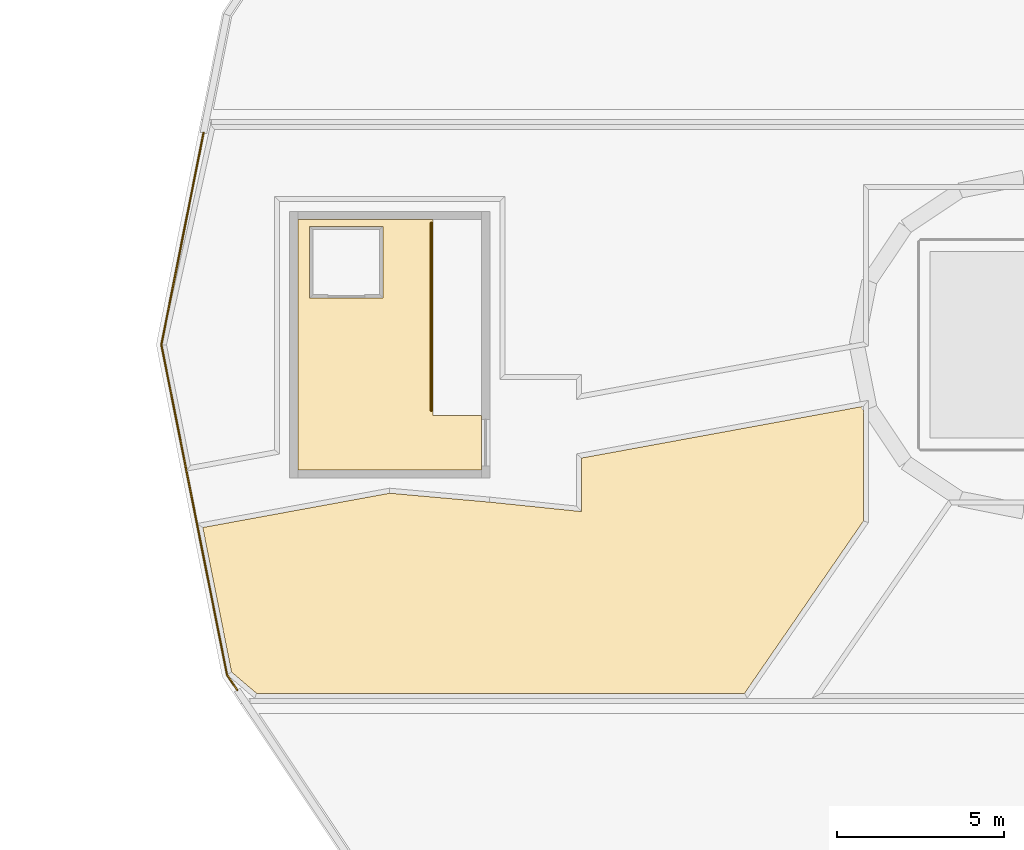
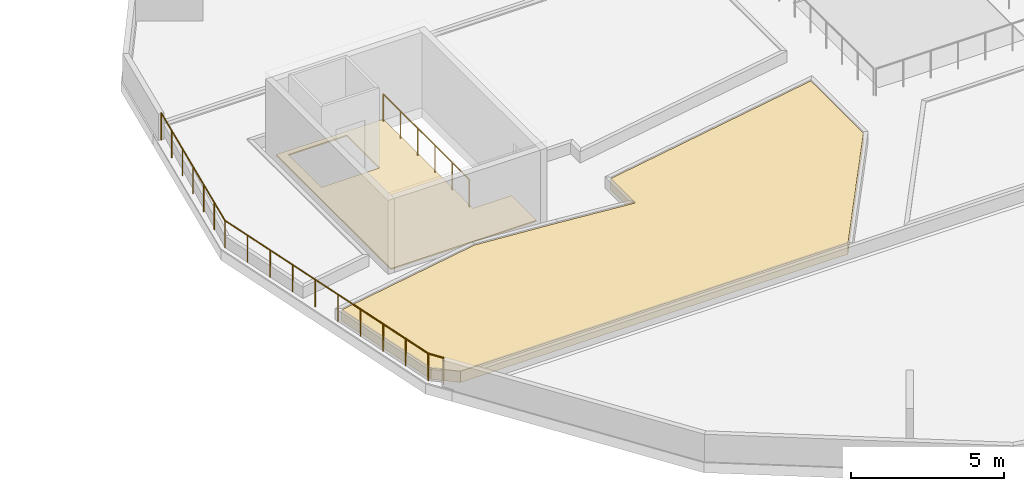
# One storey, part 35 of 40: 4 railings, 2 coverings.
"""IFC4 building model written with IfcOpenShell, lengths in metres."""

from ifc_helpers import new_model, si_unit, direction, frame, origin, origin_2d, place, context, subcontext, project, spatial, polyline, circle, outline, extrude, material, layer, layer_set, type_object, element, save


model = new_model("IFC4")

# Units and contexts
model_context = context("Model", 3, precision=1e-05, world=origin(), true_north=direction((0.0, 1.0)))
body_context = subcontext(model_context, "Body", "Model", "MODEL_VIEW")
ifc_project = project(units=[si_unit("LENGTHUNIT", "METRE"), si_unit("AREAUNIT", "SQUARE_METRE"), si_unit("VOLUMEUNIT", "CUBIC_METRE"), si_unit("PLANEANGLEUNIT", "RADIAN"), si_unit("MASSUNIT", "GRAM", prefix="KILO")], contexts=[model_context])

# Site, building, storey
site_placement = place(None, origin())
site = spatial("IfcSite", under=ifc_project, at=site_placement, CompositionType="ELEMENT")
building_placement = place(site_placement, origin())
building = spatial("IfcBuilding", under=site, at=building_placement, Name="Ceibo Conservatory and Research Tower", CompositionType="ELEMENT")
storey_placement = place(building_placement, frame((0.0, 0.0, 6.0)))
storey = spatial("IfcBuildingStorey", under=building, at=storey_placement, Name="L01", CompositionType="ELEMENT", Elevation=6.0)

# Railing
ifc_material_1 = material(Name="Stainless steel AISI 316", Category="steel")
railing_type_1 = type_object("IfcRailingType", Name="Conservatory guard 1100", PredefinedType="GUARDRAIL", material=ifc_material_1)
railing_1_placement = place(storey_placement, frame((150.239990234375, 34.030029296875, 0.0)))
element("IfcRailing", 1, at=railing_1_placement, inside=storey, type_object=railing_type_1, Name="Guard roof deck, west edge of the stair opening", PredefinedType="GUARDRAIL", context=body_context, shape_type="SweptSolid", body=[
    extrude(circle(Radius=0.02392578125, at=origin_2d()), frame((0.0, 0.0, 1.076171875), z_axis=(0.0, 1.0, 0.0), x_axis=(-1.0, 0.0, 0.0)), (0.0, 0.0, 1.0), 5.619873046875),
    extrude(circle(Radius=0.02099609375, at=origin_2d()), origin(), (0.0, 0.0, 1.0), 1.052001953125),
    extrude(circle(Radius=0.02099609375, at=origin_2d()), frame((0.0, 1.1240234375, 0.0)), (0.0, 0.0, 1.0), 1.052001953125),
    extrude(circle(Radius=0.02099609375, at=origin_2d()), frame((0.0, 2.248046875, 0.0)), (0.0, 0.0, 1.0), 1.052001953125),
    extrude(circle(Radius=0.02099609375, at=origin_2d()), frame((0.0, 3.371826171875, 0.0)), (0.0, 0.0, 1.0), 1.052001953125),
    extrude(circle(Radius=0.02099609375, at=origin_2d()), frame((0.0, 4.495849609375, 0.0)), (0.0, 0.0, 1.0), 1.052001953125),
    extrude(circle(Radius=0.02099609375, at=origin_2d()), frame((0.0, 5.619873046875, 0.0)), (0.0, 0.0, 1.0), 1.052001953125),
])

# Covering
ifc_material_2 = material(Name="Porcelain tile")
ifc_layer_1 = layer(ifc_material_2, 0.050048828125)
ifc_layer_set_1 = layer_set([ifc_layer_1], Name="Porcelain tile")
covering_type_1 = type_object("IfcCoveringType", Name="Head house floor finish 50", PredefinedType="FLOORING", material=ifc_layer_set_1)
covering_1_placement = place(storey_placement, frame((0.0, 0.0, -0.050048828125)))
element("IfcCovering", 2, at=covering_1_placement, inside=storey, type_object=covering_type_1, Name="Head house floor finish VC-HF01", PredefinedType="FLOORING", context=body_context, shape_type="SweptSolid", body=[
    extrude(outline(polyline([(146.25, 32.25), (151.75, 32.25), (151.75, 33.882080078125), (150.300048828125, 33.882080078125), (150.300048828125, 39.75), (146.25, 39.75), (146.25, 32.25)]), holes=[polyline([(148.800048828125, 37.39990234375), (146.60009765625, 37.39990234375), (146.60009765625, 39.550048828125), (148.800048828125, 39.550048828125), (148.800048828125, 37.39990234375)])]), origin(), (0.0, 0.0, 1.0), 0.050048828125),
])

# Railings
railing_type_2 = type_object("IfcRailingType", Name="Pavilion terrace guard 1100", PredefinedType="GUARDRAIL", material=ifc_material_1)
railing_2_placement = place(storey_placement, frame((143.416015625, 42.35009765625, 0.0)))
element("IfcRailing", 3, at=railing_2_placement, inside=storey, type_object=railing_type_2, Name="Pavilion guard 2", PredefinedType="GUARDRAIL", context=body_context, shape_type="SweptSolid", body=[
    extrude(circle(Radius=0.02392578125, at=origin_2d()), frame((0.0, 0.0, 1.076171875), z_axis=(-0.1951008166, -0.980783192842, 0.0), x_axis=(0.980783192842, -0.1951008166, 0.0)), (0.0, 0.0, 1.0), 6.474609375),
    extrude(circle(Radius=0.02099609375, at=origin_2d()), origin(), (0.0, 0.0, 1.0), 1.052001953125),
    extrude(circle(Radius=0.02099609375, at=origin_2d()), frame((-0.21044921875, -1.058349609375, 0.0)), (0.0, 0.0, 1.0), 1.052001953125),
    extrude(circle(Radius=0.02099609375, at=origin_2d()), frame((-0.421142578125, -2.11669921875, 0.0)), (0.0, 0.0, 1.0), 1.052001953125),
    extrude(circle(Radius=0.02099609375, at=origin_2d()), frame((-0.631591796875, -3.175048828125, 0.0)), (0.0, 0.0, 1.0), 1.052001953125),
    extrude(circle(Radius=0.02099609375, at=origin_2d()), frame((-0.842041015625, -4.2333984375, 0.0)), (0.0, 0.0, 1.0), 1.052001953125),
    extrude(circle(Radius=0.02099609375, at=origin_2d()), frame((-1.052734375, -5.291748046875, 0.0)), (0.0, 0.0, 1.0), 1.052001953125),
    extrude(circle(Radius=0.02099609375, at=origin_2d()), frame((-1.26318359375, -6.35009765625, 0.0)), (0.0, 0.0, 1.0), 1.052001953125),
])
railing_3_placement = place(storey_placement, frame((142.15283203125, 36.0, 0.0)))
element("IfcRailing", 4, at=railing_3_placement, inside=storey, type_object=railing_type_2, Name="Pavilion guard 3", PredefinedType="GUARDRAIL", context=body_context, shape_type="SweptSolid", body=[
    extrude(circle(Radius=0.02392578125, at=origin_2d()), frame((0.0, 0.0, 1.076171875), z_axis=(0.195091845788, -0.980784977305, 0.0), x_axis=(0.980784977305, 0.195091845788, 0.0)), (0.0, 0.0, 1.0), 10.085205078125),
    extrude(circle(Radius=0.02099609375, at=origin_2d()), origin(), (0.0, 0.0, 1.0), 1.052001953125),
    extrude(circle(Radius=0.02099609375, at=origin_2d()), frame((0.218505859375, -1.09912109375, 0.0)), (0.0, 0.0, 1.0), 1.052001953125),
    extrude(circle(Radius=0.02099609375, at=origin_2d()), frame((0.437255859375, -2.197998046875, 0.0)), (0.0, 0.0, 1.0), 1.052001953125),
    extrude(circle(Radius=0.02099609375, at=origin_2d()), frame((0.65576171875, -3.297119140625, 0.0)), (0.0, 0.0, 1.0), 1.052001953125),
    extrude(circle(Radius=0.02099609375, at=origin_2d()), frame((0.87451171875, -4.396240234375, 0.0)), (0.0, 0.0, 1.0), 1.052001953125),
    extrude(circle(Radius=0.02099609375, at=origin_2d()), frame((1.093017578125, -5.4951171875, 0.0)), (0.0, 0.0, 1.0), 1.052001953125),
    extrude(circle(Radius=0.02099609375, at=origin_2d()), frame((1.311767578125, -6.59423828125, 0.0)), (0.0, 0.0, 1.0), 1.052001953125),
    extrude(circle(Radius=0.02099609375, at=origin_2d()), frame((1.5302734375, -7.693359375, 0.0)), (0.0, 0.0, 1.0), 1.052001953125),
    extrude(circle(Radius=0.02099609375, at=origin_2d()), frame((1.7490234375, -8.792236328125, 0.0)), (0.0, 0.0, 1.0), 1.052001953125),
    extrude(circle(Radius=0.02099609375, at=origin_2d()), frame((1.967529296875, -9.891357421875, 0.0)), (0.0, 0.0, 1.0), 1.052001953125),
])
railing_4_placement = place(storey_placement, frame((144.120361328125, 26.108642578125, 0.0)))
element("IfcRailing", 5, at=railing_4_placement, inside=storey, type_object=railing_type_2, Name="Pavilion guard 4", PredefinedType="GUARDRAIL", context=body_context, shape_type="SweptSolid", body=[
    extrude(circle(Radius=0.02392578125, at=origin_2d()), frame((0.0, 0.0, 1.076171875), z_axis=(0.555720823688, -0.831368971107, 0.0), x_axis=(0.831368971107, 0.555720823688, 0.0)), (0.0, 0.0, 1.0), 0.5517578125),
    extrude(circle(Radius=0.02099609375, at=origin_2d()), origin(), (0.0, 0.0, 1.0), 1.052001953125),
    extrude(circle(Radius=0.02099609375, at=origin_2d()), frame((0.306640625, -0.458740234375, 0.0)), (0.0, 0.0, 1.0), 1.052001953125),
])

# Covering
ifc_material_3 = material(Name="Planting soil")
ifc_layer_2 = layer(ifc_material_3, 0.449951171875)
ifc_layer_set_2 = layer_set([ifc_layer_2], Name="Planting soil")
covering_type_2 = type_object("IfcCoveringType", Name="Roof garden planting soil 450", PredefinedType="FLOORING", material=ifc_layer_set_2)
covering_2_placement = place(storey_placement, frame((0.0, 0.0, -0.050048828125)))
element("IfcCovering", 6, at=covering_2_placement, inside=storey, type_object=covering_type_2, Name="Planting bed PB01", PredefinedType="FLOORING", context=body_context, shape_type="SweptSolid", body=[
    extrude(outline(polyline([(148.999755859375, 31.548828125), (143.395751953125, 30.520751953125), (144.25732421875, 26.18896484375), (145.005859375, 25.550048828125), (159.635498046875, 25.550048828125), (163.199951171875, 30.716064453125), (163.199951171875, 34.153564453125), (154.75, 32.603515625), (154.75, 30.998779296875), (151.985595703125, 31.283203125), (148.999755859375, 31.548828125)])), origin(), (0.0, 0.0, 1.0), 0.449951171875),
])

save(model, "model.ifc")
